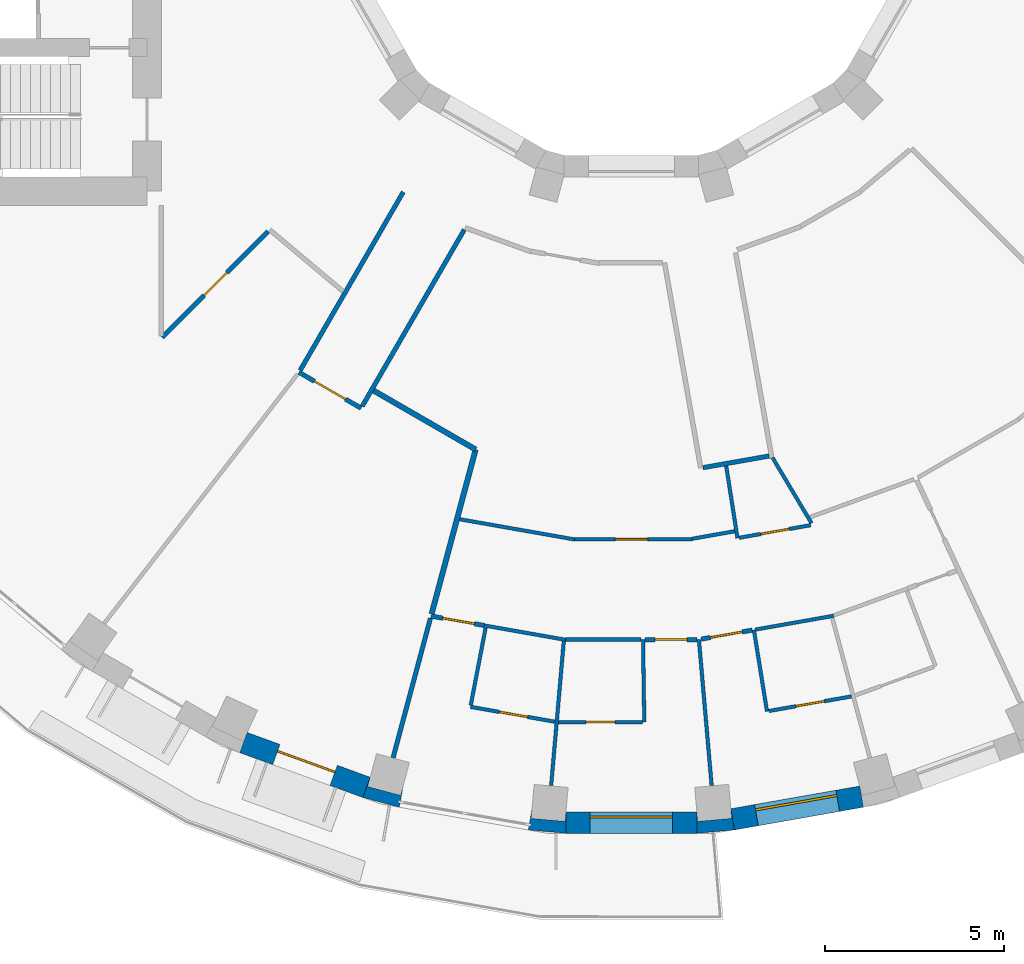
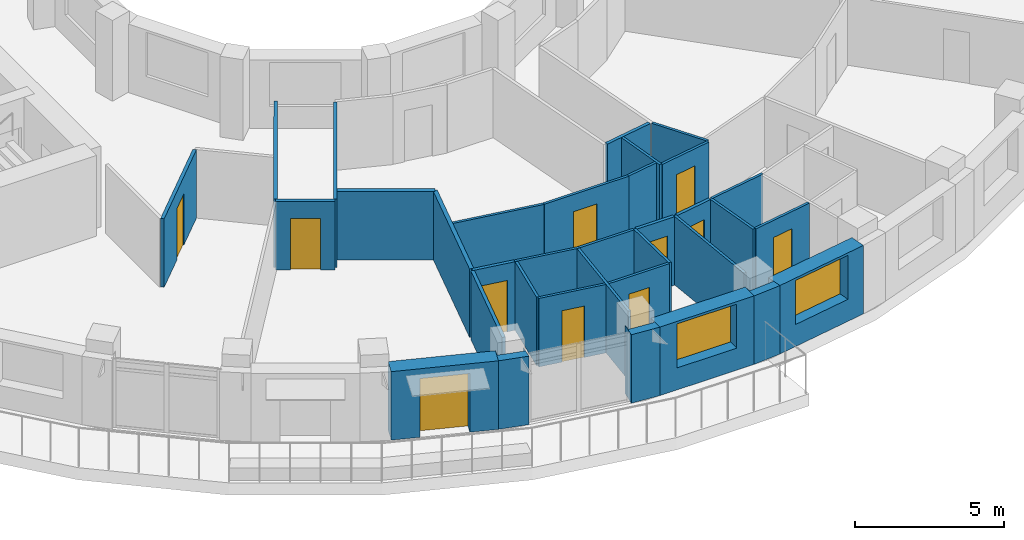
# One storey, part 4 of 14: 34 walls, 11 doors, 2 windows, 13 openings.
"""IFC4 building model written with IfcOpenShell, lengths in metres."""

from ifc_helpers import new_model, si_unit, direction, frame, frame_2d, origin, place, context, subcontext, project, spatial, polyline, rectangle, outline, extrude, material, layer, layer_set, type_object, element, fill, save


model = new_model("IFC4")

# Units and contexts
model_context = context("Model", 3, precision=1e-05, world=origin(), true_north=direction((0.0, 1.0)))
body_context = subcontext(model_context, "Body", "Model", "MODEL_VIEW")
ifc_project = project(units=[si_unit("LENGTHUNIT", "METRE"), si_unit("AREAUNIT", "SQUARE_METRE"), si_unit("VOLUMEUNIT", "CUBIC_METRE"), si_unit("PLANEANGLEUNIT", "RADIAN"), si_unit("MASSUNIT", "GRAM", prefix="KILO")], contexts=[model_context])

# Site, building, storey
site_placement = place(None, origin())
site = spatial("IfcSite", under=ifc_project, at=site_placement, CompositionType="ELEMENT")
building_placement = place(site_placement, origin())
building = spatial("IfcBuilding", under=site, at=building_placement, Name="Saqina Gate Tower", CompositionType="ELEMENT")
storey_placement = place(building_placement, frame((0.0, 0.0, 131.5)))
storey = spatial("IfcBuildingStorey", under=building, at=storey_placement, Name="L37", CompositionType="ELEMENT", Elevation=131.5)

# Walls
ifc_material_1 = material(Name="Brick masonry (buff)", Category="masonry")
wall_type_1 = type_object("IfcWallType", Name="BRICK PIER COPING BUFF", PredefinedType="SOLIDWALL", material=ifc_material_1)
wall_1_placement = place(storey_placement, origin())
element("IfcWall", 1, at=wall_1_placement, inside=storey, type_object=wall_type_1, Name="Pier cap L37 column 26", PredefinedType="SOLIDWALL", context=body_context, shape_type="SweptSolid", body=[
    extrude(outline(polyline([(-7.485595703125, -25.89892578125), (-6.466796875, -26.171875), (-6.36279296875, -25.5810546875), (-6.43212890625, -25.8408203125), (-7.349853515625, -25.5947265625), (-7.2802734375, -25.335205078125), (-7.485595703125, -25.89892578125)])), origin(), (0.0, 0.0, 1.0), 2.800048828125),
])
wall_2_placement = place(storey_placement, origin())
element("IfcWall", 2, at=wall_2_placement, inside=storey, type_object=wall_type_1, Name="Pier cap L37 column 27", PredefinedType="SOLIDWALL", context=body_context, shape_type="SweptSolid", body=[
    extrude(outline(polyline([(-2.87451171875, -26.805419921875), (-1.823974609375, -26.897216796875), (-1.823974609375, -26.29736328125), (-1.847412109375, -26.565185546875), (-2.793701171875, -26.482421875), (-2.770263671875, -26.214599609375), (-2.87451171875, -26.805419921875)])), origin(), (0.0, 0.0, 1.0), 2.800048828125),
])
wall_3_placement = place(storey_placement, origin())
element("IfcWall", 3, at=wall_3_placement, inside=storey, type_object=wall_type_1, Name="Pier cap L37 column 28", PredefinedType="SOLIDWALL", context=body_context, shape_type="SweptSolid", body=[
    extrude(outline(polyline([(2.87451171875, -26.805419921875), (2.770263671875, -26.214599609375), (2.793701171875, -26.482421875), (1.847412109375, -26.565185546875), (1.823974609375, -26.29736328125), (1.823974609375, -26.897216796875), (2.87451171875, -26.805419921875)])), origin(), (0.0, 0.0, 1.0), 2.800048828125),
])

# Wall, opening, door
ifc_material_2 = material(Name="Brick masonry (buff)", Category="masonry")
ifc_layer_1 = layer(ifc_material_2, 0.60009765625)
ifc_layer_set_1 = layer_set([ifc_layer_1], Name="FW-BRICK-BUFF")
wall_type_2 = type_object("IfcWallType", Name="FW-BRICK-BUFF", PredefinedType="SOLIDWALL", material=ifc_layer_set_1)
wall_4_placement = place(storey_placement, frame((-10.810791015625, -24.369384765625, 0.0), z_axis=(0.0, 0.0, 1.0), x_axis=(0.939703505393, -0.341990236633, 0.0)))
wall_4 = element("IfcWall", 4, at=wall_4_placement, inside=storey, type_object=wall_type_2, Name="Facade wall L37 facet 25", PredefinedType="SOLIDWALL", context=body_context, shape_type="SweptSolid", body=[
    extrude(rectangle(XDim=3.64794921875, YDim=0.60009765625, at=frame_2d((1.823974609375, 0.0))), origin(), (0.0, 0.0, 1.0), 2.800048828125),
])
opening_1_placement = place(wall_4_placement, frame((0.973876953125, 0.0, 0.0)))
opening_1 = element("IfcOpeningElement", 5, at=opening_1_placement, cuts=wall_4, Name="Opening G11-D81", PredefinedType="OPENING", context=body_context, shape_type="SweptSolid", body=[
    extrude(rectangle(XDim=1.699951171875, YDim=2.39990234375, at=frame_2d((0.85009765625, 1.199951171875))), frame((0.0, 0.31201171875, 0.0), z_axis=(0.0, -1.0, 0.0), x_axis=(1.0, 0.0, 0.0)), (0.0, 0.0, 1.0), 0.6240234375),
])
ifc_material_3 = material(Name="Aluminium glazing", Category="aluminium")
door_type_1 = type_object("IfcDoorType", Name="GD-B", OperationType="DOUBLE_DOOR_SINGLE_SWING", PredefinedType="DOOR", material=ifc_material_3)
door_1_placement = place(opening_1_placement, origin())
door_1 = element("IfcDoor", 6, at=door_1_placement, inside=storey, type_object=door_type_1, Name="Terrace door L37 facet 25", OperationType="DOUBLE_DOOR_SINGLE_SWING", OverallHeight=2.39990234375, OverallWidth=1.699951171875, PredefinedType="DOOR", context=body_context, shape_type="SweptSolid", body=[
    extrude(rectangle(XDim=1.699951171875, YDim=2.39990234375, at=frame_2d((0.85009765625, 1.199951171875))), frame((0.0, 0.125, 0.0), z_axis=(0.0, -1.0, 0.0), x_axis=(1.0, 0.0, 0.0)), (0.0, 0.0, 1.0), 0.050048828125),
])
fill(opening_1, door_1)

# Wall, opening, window
wall_5_placement = place(storey_placement, frame((-1.823974609375, -26.59716796875, 0.0), z_axis=(0.0, 0.0, 1.0), x_axis=(1.0, 0.0, 0.0)))
wall_5 = element("IfcWall", 7, at=wall_5_placement, inside=storey, type_object=wall_type_2, Name="Facade wall L37 facet 27", PredefinedType="SOLIDWALL", context=body_context, shape_type="SweptSolid", body=[
    extrude(rectangle(XDim=3.64794921875, YDim=0.60009765625, at=frame_2d((1.823974609375, 0.0))), origin(), (0.0, 0.0, 1.0), 2.800048828125),
])
opening_2_placement = place(wall_5_placement, frame((0.673828125, 0.0, 0.89990234375)))
opening_2 = element("IfcOpeningElement", 8, at=opening_2_placement, cuts=wall_5, Name="Opening G11-W16", PredefinedType="OPENING", context=body_context, shape_type="SweptSolid", body=[
    extrude(rectangle(XDim=2.300048828125, YDim=1.800048828125, at=frame_2d((1.14990234375, 0.89990234375))), frame((0.0, 0.31201171875, 0.0), z_axis=(0.0, -1.0, 0.0), x_axis=(1.0, 0.0, 0.0)), (0.0, 0.0, 1.0), 0.6240234375),
])
ifc_material_4 = material(Name="Aluminium glazing", Category="aluminium")
window_type = type_object("IfcWindowType", Name="WN-B", PartitioningType="SINGLE_PANEL", PredefinedType="WINDOW", material=ifc_material_4)
window_1_placement = place(opening_2_placement, origin())
window_1 = element("IfcWindow", 9, at=window_1_placement, inside=storey, type_object=window_type, Name="Window L37 facet 27", OverallHeight=1.800048828125, OverallWidth=2.300048828125, PartitioningType="SINGLE_PANEL", PredefinedType="WINDOW", context=body_context, shape_type="SweptSolid", body=[
    extrude(rectangle(XDim=2.300048828125, YDim=1.800048828125, at=frame_2d((1.14990234375, 0.89990234375))), frame((0.0, 0.179931640625, 0.0), z_axis=(0.0, -1.0, 0.0), x_axis=(1.0, 0.0, 0.0)), (0.0, 0.0, 1.0), 0.06005859375),
])
fill(opening_2, window_1)

wall_6_placement = place(storey_placement, frame((2.822265625, -26.510009765625, 0.0), z_axis=(0.0, 0.0, 1.0), x_axis=(0.984803764455, 0.173670796382, 0.0)))
wall_6 = element("IfcWall", 10, at=wall_6_placement, inside=storey, type_object=wall_type_2, Name="Facade wall L37 facet 28", PredefinedType="SOLIDWALL", context=body_context, shape_type="SweptSolid", body=[
    extrude(rectangle(XDim=3.64794921875, YDim=0.60009765625, at=frame_2d((1.823974609375, 0.0))), origin(), (0.0, 0.0, 1.0), 2.800048828125),
])
opening_3_placement = place(wall_6_placement, frame((0.673828125, 0.0, 0.89990234375)))
opening_3 = element("IfcOpeningElement", 11, at=opening_3_placement, cuts=wall_6, Name="Opening G11-W17", PredefinedType="OPENING", context=body_context, shape_type="SweptSolid", body=[
    extrude(rectangle(XDim=2.300048828125, YDim=1.800048828125, at=frame_2d((1.14990234375, 0.89990234375))), frame((0.0, 0.31201171875, 0.0), z_axis=(0.0, -1.0, 0.0), x_axis=(1.0, 0.0, 0.0)), (0.0, 0.0, 1.0), 0.6240234375),
])
window_2_placement = place(opening_3_placement, origin())
window_2 = element("IfcWindow", 12, at=window_2_placement, inside=storey, type_object=window_type, Name="Window L37 facet 28", OverallHeight=1.800048828125, OverallWidth=2.300048828125, PartitioningType="SINGLE_PANEL", PredefinedType="WINDOW", context=body_context, shape_type="SweptSolid", body=[
    extrude(rectangle(XDim=2.300048828125, YDim=1.800048828125, at=frame_2d((1.14990234375, 0.89990234375))), frame((0.0, 0.179931640625, 0.0), z_axis=(0.0, -1.0, 0.0), x_axis=(1.0, 0.0, 0.0)), (0.0, 0.0, 1.0), 0.06005859375),
])
fill(opening_3, window_2)

# Walls
ifc_material_5 = material(Name="Gypsum board on steel studs, 100 mm", Category="steel")
ifc_layer_2 = layer(ifc_material_5, 0.10009765625)
ifc_layer_set_2 = layer_set([ifc_layer_2], Name="PARTITION 100")
wall_type_3 = type_object("IfcWallType", Name="PARTITION 100", PredefinedType="PARTITIONING", material=ifc_layer_set_2)
wall_7_placement = place(storey_placement, frame((0.323974609375, -21.4970703125, 0.0), z_axis=(0.0, 0.0, 1.0), x_axis=(0.015177107463, -0.999884821071, 0.0)))
element("IfcWall", 13, at=wall_7_placement, inside=storey, type_object=wall_type_3, Name="PARTITION PW3-01", PredefinedType="PARTITIONING", context=body_context, shape_type="SweptSolid", body=[
    extrude(rectangle(XDim=2.30029296875, YDim=0.10009765625, at=frame_2d((1.150146484375, 0.0))), origin(), (0.0, 0.0, 1.0), 2.800048828125),
])
wall_8_placement = place(storey_placement, frame((1.881103515625, -21.4970703125, 0.0), z_axis=(0.0, 0.0, 1.0), x_axis=(0.087060211484, -0.996203051379, 0.0)))
element("IfcWall", 14, at=wall_8_placement, inside=storey, type_object=wall_type_3, Name="PARTITION PW3-03", PredefinedType="PARTITIONING", context=body_context, shape_type="SweptSolid", body=[
    extrude(rectangle(XDim=4.0859375, YDim=0.10009765625, at=frame_2d((2.04296875, 0.0))), origin(), (0.0, 0.0, 1.0), 2.800048828125),
])
wall_9_placement = place(storey_placement, frame((2.641845703125, -16.656494140625, 0.0), z_axis=(0.0, 0.0, 1.0), x_axis=(0.154658266248, -0.987968026143, 0.0)))
element("IfcWall", 15, at=wall_9_placement, inside=storey, type_object=wall_type_3, Name="PARTITION PW3-04", PredefinedType="PARTITIONING", context=body_context, shape_type="SweptSolid", body=[
    extrude(rectangle(XDim=2.037841796875, YDim=0.10009765625, at=frame_2d((1.01904296875, 0.0))), origin(), (0.0, 0.0, 1.0), 2.800048828125),
])
wall_10_placement = place(storey_placement, frame((3.4140625, -21.22705078125, 0.0), z_axis=(0.0, 0.0, 1.0), x_axis=(0.15868179071, -0.987329777378, 0.0)))
element("IfcWall", 16, at=wall_10_placement, inside=storey, type_object=wall_type_3, Name="PARTITION PW3-05", PredefinedType="PARTITIONING", context=body_context, shape_type="SweptSolid", body=[
    extrude(rectangle(XDim=2.300048828125, YDim=0.10009765625, at=frame_2d((1.14990234375, 0.0))), origin(), (0.0, 0.0, 1.0), 2.800048828125),
])
wall_11_placement = place(storey_placement, frame((3.931884765625, -16.42578125, 0.0), z_axis=(0.0, 0.0, 1.0), x_axis=(0.511292595627, -0.859406703288, 0.0)))
element("IfcWall", 17, at=wall_11_placement, inside=storey, type_object=wall_type_3, Name="PARTITION PW3-16", PredefinedType="PARTITIONING", context=body_context, shape_type="SweptSolid", body=[
    extrude(rectangle(XDim=2.132080078125, YDim=0.10009765625, at=frame_2d((1.06591796875, 0.0))), origin(), (0.0, 0.0, 1.0), 2.800048828125),
])

# Wall, opening, door
wall_12_placement = place(storey_placement, frame((-4.486083984375, -23.373046875, 0.0), z_axis=(0.0, 0.0, 1.0), x_axis=(0.984802055472, -0.173680486922, 0.0)))
wall_12 = element("IfcWall", 18, at=wall_12_placement, inside=storey, type_object=wall_type_3, Name="PARTITION PW3-32", PredefinedType="PARTITIONING", context=body_context, shape_type="SweptSolid", body=[
    extrude(rectangle(XDim=2.39111328125, YDim=0.10009765625, at=frame_2d((1.195556640625, 0.0))), origin(), (0.0, 0.0, 1.0), 2.800048828125),
])
opening_4_placement = place(wall_12_placement, frame((0.820556640625, 0.0, 0.0)))
opening_4 = element("IfcOpeningElement", 19, at=opening_4_placement, cuts=wall_12, Name="Opening G11-D31", PredefinedType="OPENING", context=body_context, shape_type="SweptSolid", body=[
    extrude(rectangle(XDim=0.800048828125, YDim=2.10009765625, at=frame_2d((0.39990234375, 1.050048828125))), frame((0.0, 0.06201171875, 0.0), z_axis=(0.0, -1.0, 0.0), x_axis=(1.0, 0.0, 0.0)), (0.0, 0.0, 1.0), 0.1240234375),
])
ifc_material_6 = material(Name="Timber door leaf, 800 mm", Category="wood")
door_type_2 = type_object("IfcDoorType", Name="DOOR 800 TIMBER", OperationType="SINGLE_SWING_LEFT", PredefinedType="DOOR", material=ifc_material_6)
door_2_placement = place(opening_4_placement, frame((0.800048828125, 0.0, 0.0), z_axis=(0.0, 0.0, 1.0), x_axis=(-1.0, 0.0, 0.0)))
door_2 = element("IfcDoor", 20, at=door_2_placement, inside=storey, type_object=door_type_2, Name="DOOR G11-D31", OperationType="SINGLE_SWING_LEFT", OverallHeight=2.10009765625, OverallWidth=0.800048828125, PredefinedType="DOOR", context=body_context, shape_type="SweptSolid", body=[
    extrude(rectangle(XDim=0.800048828125, YDim=2.10009765625, at=frame_2d((0.39990234375, 1.050048828125))), frame((0.0, 0.02490234375, 0.0), z_axis=(0.0, -1.0, 0.0), x_axis=(1.0, 0.0, 0.0)), (0.0, 0.0, 1.0), 0.050048828125),
])
fill(opening_4, door_2)

# Walls
wall_13_placement = place(storey_placement, frame((-4.101318359375, -21.105224609375, 0.0), z_axis=(0.0, 0.0, 1.0), x_axis=(0.984783558818, -0.173785333909, 0.0)))
element("IfcWall", 21, at=wall_13_placement, inside=storey, type_object=wall_type_3, Name="PARTITION PW3-33", PredefinedType="PARTITIONING", context=body_context, shape_type="SweptSolid", body=[
    extrude(rectangle(XDim=2.305419921875, YDim=0.10009765625, at=frame_2d((1.15283203125, 0.0))), origin(), (0.0, 0.0, 1.0), 2.800048828125),
])
wall_14_placement = place(storey_placement, frame((-4.7841796875, -18.14404296875, 0.0), z_axis=(0.0, 0.0, 1.0), x_axis=(0.98481910853, -0.173583765007, 0.0)))
element("IfcWall", 22, at=wall_14_placement, inside=storey, type_object=wall_type_3, Name="PARTITION PW3-34", PredefinedType="PARTITIONING", context=body_context, shape_type="SweptSolid", body=[
    extrude(rectangle(XDim=3.24755859375, YDim=0.10009765625, at=frame_2d((1.623779296875, 0.0))), origin(), (0.0, 0.0, 1.0), 2.800048828125),
])

# Wall, opening, door
wall_15_placement = place(storey_placement, frame((-2.031982421875, -23.797119140625, 0.0), z_axis=(0.0, 0.0, 1.0), x_axis=(1.0, 0.0, 0.0)))
wall_15 = element("IfcWall", 23, at=wall_15_placement, inside=storey, type_object=wall_type_3, Name="PARTITION PW3-38", PredefinedType="PARTITIONING", context=body_context, shape_type="SweptSolid", body=[
    extrude(rectangle(XDim=2.341064453125, YDim=0.10009765625, at=frame_2d((1.17041015625, 0.0))), origin(), (0.0, 0.0, 1.0), 2.800048828125),
])
opening_5_placement = place(wall_15_placement, frame((0.7705078125, 0.0, 0.0)))
opening_5 = element("IfcOpeningElement", 24, at=opening_5_placement, cuts=wall_15, Name="Opening G11-D32", PredefinedType="OPENING", context=body_context, shape_type="SweptSolid", body=[
    extrude(rectangle(XDim=0.800048828125, YDim=2.10009765625, at=frame_2d((0.39990234375, 1.050048828125))), frame((0.0, 0.06201171875, 0.0), z_axis=(0.0, -1.0, 0.0), x_axis=(1.0, 0.0, 0.0)), (0.0, 0.0, 1.0), 0.1240234375),
])
door_3_placement = place(opening_5_placement, frame((0.800048828125, 0.0, 0.0), z_axis=(0.0, 0.0, 1.0), x_axis=(-1.0, 0.0, 0.0)))
door_3 = element("IfcDoor", 25, at=door_3_placement, inside=storey, type_object=door_type_2, Name="DOOR G11-D32", OperationType="SINGLE_SWING_RIGHT", OverallHeight=2.10009765625, OverallWidth=0.800048828125, PredefinedType="DOOR", context=body_context, shape_type="SweptSolid", body=[
    extrude(rectangle(XDim=0.800048828125, YDim=2.10009765625, at=frame_2d((0.39990234375, 1.050048828125))), frame((0.0, 0.02490234375, 0.0), z_axis=(0.0, -1.0, 0.0), x_axis=(1.0, 0.0, 0.0)), (0.0, 0.0, 1.0), 0.050048828125),
])
fill(opening_5, door_3)

# Wall
wall_16_placement = place(storey_placement, frame((-1.8310546875, -21.4970703125, 0.0), z_axis=(0.0, 0.0, 1.0), x_axis=(1.0, 0.0, 0.0)))
element("IfcWall", 26, at=wall_16_placement, inside=storey, type_object=wall_type_3, Name="PARTITION PW3-39", PredefinedType="PARTITIONING", context=body_context, shape_type="SweptSolid", body=[
    extrude(rectangle(XDim=2.10498046875, YDim=0.10009765625, at=frame_2d((1.052490234375, 0.0))), origin(), (0.0, 0.0, 1.0), 2.800048828125),
])

# Wall, opening, door
wall_17_placement = place(storey_placement, frame((-1.5859375, -18.698974609375, 0.0), z_axis=(0.0, 0.0, 1.0), x_axis=(1.0, 0.0, 0.0)))
wall_17 = element("IfcWall", 27, at=wall_17_placement, inside=storey, type_object=wall_type_3, Name="PARTITION PW3-40", PredefinedType="PARTITIONING", context=body_context, shape_type="SweptSolid", body=[
    extrude(rectangle(XDim=3.272705078125, YDim=0.10009765625, at=frame_2d((1.63623046875, 0.0))), origin(), (0.0, 0.0, 1.0), 2.800048828125),
])
opening_6_placement = place(wall_17_placement, frame((1.135986328125, 0.0, 0.0)))
opening_6 = element("IfcOpeningElement", 28, at=opening_6_placement, cuts=wall_17, Name="Opening G11-D33", PredefinedType="OPENING", context=body_context, shape_type="SweptSolid", body=[
    extrude(rectangle(XDim=0.89990234375, YDim=2.10009765625, at=frame_2d((0.449951171875, 1.050048828125))), frame((0.0, 0.06201171875, 0.0), z_axis=(0.0, -1.0, 0.0), x_axis=(1.0, 0.0, 0.0)), (0.0, 0.0, 1.0), 0.1240234375),
])
ifc_material_7 = material(Name="Timber door leaf, 900 mm", Category="wood")
door_type_3 = type_object("IfcDoorType", Name="DOOR 900 TIMBER", OperationType="SINGLE_SWING_LEFT", PredefinedType="DOOR", material=ifc_material_7)
door_4_placement = place(opening_6_placement, origin())
door_4 = element("IfcDoor", 29, at=door_4_placement, inside=storey, type_object=door_type_3, Name="DOOR G11-D33", OperationType="SINGLE_SWING_LEFT", OverallHeight=2.10009765625, OverallWidth=0.89990234375, PredefinedType="DOOR", context=body_context, shape_type="SweptSolid", body=[
    extrude(rectangle(XDim=0.89990234375, YDim=2.10009765625, at=frame_2d((0.449951171875, 1.050048828125))), frame((0.0, 0.02490234375, 0.0), z_axis=(0.0, -1.0, 0.0), x_axis=(1.0, 0.0, 0.0)), (0.0, 0.0, 1.0), 0.050048828125),
])
fill(opening_6, door_4)

wall_18_placement = place(storey_placement, frame((3.828125, -23.4892578125, 0.0), z_axis=(0.0, 0.0, 1.0), x_axis=(0.984811890041, 0.173624713778, 0.0)))
wall_18 = element("IfcWall", 30, at=wall_18_placement, inside=storey, type_object=wall_type_3, Name="PARTITION PW3-44", PredefinedType="PARTITIONING", context=body_context, shape_type="SweptSolid", body=[
    extrude(rectangle(XDim=2.34130859375, YDim=0.10009765625, at=frame_2d((1.170654296875, 0.0))), origin(), (0.0, 0.0, 1.0), 2.800048828125),
])
opening_7_placement = place(wall_18_placement, frame((0.7705078125, 0.0, 0.0)))
opening_7 = element("IfcOpeningElement", 31, at=opening_7_placement, cuts=wall_18, Name="Opening G11-D36", PredefinedType="OPENING", context=body_context, shape_type="SweptSolid", body=[
    extrude(rectangle(XDim=0.800048828125, YDim=2.10009765625, at=frame_2d((0.39990234375, 1.050048828125))), frame((0.0, 0.06201171875, 0.0), z_axis=(0.0, -1.0, 0.0), x_axis=(1.0, 0.0, 0.0)), (0.0, 0.0, 1.0), 0.1240234375),
])
door_5_placement = place(opening_7_placement, frame((0.800048828125, 0.0, 0.0), z_axis=(0.0, 0.0, 1.0), x_axis=(-1.0, 0.0, 0.0)))
door_5 = element("IfcDoor", 32, at=door_5_placement, inside=storey, type_object=door_type_2, Name="DOOR G11-D36", OperationType="SINGLE_SWING_LEFT", OverallHeight=2.10009765625, OverallWidth=0.800048828125, PredefinedType="DOOR", context=body_context, shape_type="SweptSolid", body=[
    extrude(rectangle(XDim=0.800048828125, YDim=2.10009765625, at=frame_2d((0.39990234375, 1.050048828125))), frame((0.0, 0.02490234375, 0.0), z_axis=(0.0, -1.0, 0.0), x_axis=(1.0, 0.0, 0.0)), (0.0, 0.0, 1.0), 0.050048828125),
])
fill(opening_7, door_5)

# Wall
wall_19_placement = place(storey_placement, frame((3.4462890625, -21.221435546875, 0.0), z_axis=(0.0, 0.0, 1.0), x_axis=(0.984789083278, 0.173754025728, 0.0)))
element("IfcWall", 33, at=wall_19_placement, inside=storey, type_object=wall_type_3, Name="PARTITION PW3-45", PredefinedType="PARTITIONING", context=body_context, shape_type="SweptSolid", body=[
    extrude(rectangle(XDim=2.224365234375, YDim=0.10009765625, at=frame_2d((1.1123046875, 0.0))), origin(), (0.0, 0.0, 1.0), 2.800048828125),
])

# Wall, opening, door
wall_20_placement = place(storey_placement, frame((3.00732421875, -18.6611328125, 0.0), z_axis=(0.0, 0.0, 1.0), x_axis=(0.984806648716, 0.173654440325, 0.0)))
wall_20 = element("IfcWall", 34, at=wall_20_placement, inside=storey, type_object=wall_type_3, Name="PARTITION PW3-46", PredefinedType="PARTITIONING", context=body_context, shape_type="SweptSolid", body=[
    extrude(rectangle(XDim=2.021728515625, YDim=0.10009765625, at=frame_2d((1.0107421875, 0.0))), origin(), (0.0, 0.0, 1.0), 2.800048828125),
])
opening_8_placement = place(wall_20_placement, frame((0.611572265625, 0.0, 0.0)))
opening_8 = element("IfcOpeningElement", 35, at=opening_8_placement, cuts=wall_20, Name="Opening G11-D37", PredefinedType="OPENING", context=body_context, shape_type="SweptSolid", body=[
    extrude(rectangle(XDim=0.800048828125, YDim=2.10009765625, at=frame_2d((0.39990234375, 1.050048828125))), frame((0.0, 0.06201171875, 0.0), z_axis=(0.0, -1.0, 0.0), x_axis=(1.0, 0.0, 0.0)), (0.0, 0.0, 1.0), 0.1240234375),
])
door_6_placement = place(opening_8_placement, frame((0.800048828125, 0.0, 0.0), z_axis=(0.0, 0.0, 1.0), x_axis=(-1.0, 0.0, 0.0)))
door_6 = element("IfcDoor", 36, at=door_6_placement, inside=storey, type_object=door_type_2, Name="DOOR G11-D37", OperationType="SINGLE_SWING_LEFT", OverallHeight=2.10009765625, OverallWidth=0.800048828125, PredefinedType="DOOR", context=body_context, shape_type="SweptSolid", body=[
    extrude(rectangle(XDim=0.800048828125, YDim=2.10009765625, at=frame_2d((0.39990234375, 1.050048828125))), frame((0.0, 0.02490234375, 0.0), z_axis=(0.0, -1.0, 0.0), x_axis=(1.0, 0.0, 0.0)), (0.0, 0.0, 1.0), 0.050048828125),
])
fill(opening_8, door_6)

# Walls
wall_21_placement = place(storey_placement, frame((1.685302734375, -18.690185546875, 0.0), z_axis=(0.0, 0.0, 1.0), x_axis=(0.984742886049, 0.17401565555, 0.0)))
element("IfcWall", 37, at=wall_21_placement, inside=storey, type_object=wall_type_3, Name="PARTITION PW3-47", PredefinedType="PARTITIONING", context=body_context, shape_type="SweptSolid", body=[
    extrude(rectangle(XDim=1.20947265625, YDim=0.10009765625, at=frame_2d((0.604736328125, 0.0))), origin(), (0.0, 0.0, 1.0), 2.800048828125),
])
wall_22_placement = place(storey_placement, frame((-4.4765625, -23.323974609375, 0.0), z_axis=(0.0, 0.0, 1.0), x_axis=(0.188685986474, 0.982037473067, 0.0)))
element("IfcWall", 38, at=wall_22_placement, inside=storey, type_object=wall_type_3, Name="PARTITION PW3-82", PredefinedType="PARTITIONING", context=body_context, shape_type="SweptSolid", body=[
    extrude(rectangle(XDim=2.18798828125, YDim=0.10009765625, at=frame_2d((1.093994140625, 0.0))), origin(), (0.0, 0.0, 1.0), 2.800048828125),
])
wall_23_placement = place(storey_placement, frame((-2.23681640625, -25.5673828125, 0.0), z_axis=(0.0, 0.0, 1.0), x_axis=(0.087169951933, 0.996193454847, 0.0)))
element("IfcWall", 39, at=wall_23_placement, inside=storey, type_object=wall_type_3, Name="PARTITION PW3-84", PredefinedType="PARTITIONING", context=body_context, shape_type="SweptSolid", body=[
    extrude(rectangle(XDim=4.035888671875, YDim=0.10009765625, at=frame_2d((2.01806640625, 0.0))), origin(), (0.0, 0.0, 1.0), 2.800048828125),
])

# Wall, opening, door
ifc_material_8 = material(Name="Gypsum board on steel studs, 125 mm, fire rated", Category="steel")
ifc_layer_3 = layer(ifc_material_8, 0.125)
ifc_layer_set_3 = layer_set([ifc_layer_3], Name="PARTITION EI 30 125")
wall_type_4 = type_object("IfcWallType", Name="PARTITION EI 30 125", PredefinedType="PARTITIONING", material=ifc_layer_set_3)
wall_24_placement = place(storey_placement, frame((-9.26416015625, -14.050048828125, 0.0), z_axis=(0.0, 0.0, 1.0), x_axis=(0.866008543052, -0.500029202507, 0.0)))
wall_24 = element("IfcWall", 40, at=wall_24_placement, inside=storey, type_object=wall_type_4, Name="PARTITION PW1-10", PredefinedType="PARTITIONING", context=body_context, shape_type="SweptSolid", body=[
    extrude(rectangle(XDim=1.998046875, YDim=0.125, at=frame_2d((0.9990234375, 0.0))), origin(), (0.0, 0.0, 1.0), 2.800048828125),
])
opening_9_placement = place(wall_24_placement, frame((0.497802734375, 0.0, 0.0)))
opening_9 = element("IfcOpeningElement", 41, at=opening_9_placement, cuts=wall_24, Name="Opening G11-D28", PredefinedType="OPENING", context=body_context, shape_type="SweptSolid", body=[
    extrude(rectangle(XDim=1.0, YDim=2.10009765625, at=frame_2d((0.5, 1.050048828125))), frame((0.0, 0.074462890625, 0.0), z_axis=(0.0, -1.0, 0.0), x_axis=(1.0, 0.0, 0.0)), (0.0, 0.0, 1.0), 0.14892578125),
])
ifc_material_9 = material(Name="Fire door leaf EI 30, 1000 mm")
door_type_4 = type_object("IfcDoorType", Name="DOOR 1000 EI 30", OperationType="SINGLE_SWING_LEFT", PredefinedType="DOOR", material=ifc_material_9)
door_7_placement = place(opening_9_placement, origin())
door_7 = element("IfcDoor", 42, at=door_7_placement, inside=storey, type_object=door_type_4, Name="DOOR G11-D28", OperationType="SINGLE_SWING_RIGHT", OverallHeight=2.10009765625, OverallWidth=1.0, PredefinedType="DOOR", context=body_context, shape_type="SweptSolid", body=[
    extrude(rectangle(XDim=1.0, YDim=2.10009765625, at=frame_2d((0.5, 1.050048828125))), frame((0.0, 0.02490234375, 0.0), z_axis=(0.0, -1.0, 0.0), x_axis=(1.0, 0.0, 0.0)), (0.0, 0.0, 1.0), 0.050048828125),
])
fill(opening_9, door_7)

wall_25_placement = place(storey_placement, frame((-5.5849609375, -20.843994140625, 0.0), z_axis=(0.0, 0.0, 1.0), x_axis=(0.984850377204, -0.173406270135, 0.0)))
wall_25 = element("IfcWall", 43, at=wall_25_placement, inside=storey, type_object=wall_type_4, Name="PARTITION PW1-15", PredefinedType="PARTITIONING", context=body_context, shape_type="SweptSolid", body=[
    extrude(rectangle(XDim=1.50634765625, YDim=0.125, at=frame_2d((0.753173828125, 0.0))), origin(), (0.0, 0.0, 1.0), 2.800048828125),
])
opening_10_placement = place(wall_25_placement, frame((0.328369140625, 0.0, 0.0)))
opening_10 = element("IfcOpeningElement", 44, at=opening_10_placement, cuts=wall_25, Name="Opening G11-D29", PredefinedType="OPENING", context=body_context, shape_type="SweptSolid", body=[
    extrude(rectangle(XDim=0.89990234375, YDim=2.10009765625, at=frame_2d((0.449951171875, 1.050048828125))), frame((0.0, 0.074462890625, 0.0), z_axis=(0.0, -1.0, 0.0), x_axis=(1.0, 0.0, 0.0)), (0.0, 0.0, 1.0), 0.14892578125),
])
ifc_material_10 = material(Name="Fire door leaf EI 30, 900 mm")
door_type_5 = type_object("IfcDoorType", Name="DOOR 900 EI 30", OperationType="SINGLE_SWING_LEFT", PredefinedType="DOOR", material=ifc_material_10)
door_8_placement = place(opening_10_placement, origin())
door_8 = element("IfcDoor", 45, at=door_8_placement, inside=storey, type_object=door_type_5, Name="DOOR G11-D29", OperationType="SINGLE_SWING_LEFT", OverallHeight=2.10009765625, OverallWidth=0.89990234375, PredefinedType="DOOR", context=body_context, shape_type="SweptSolid", body=[
    extrude(rectangle(XDim=0.89990234375, YDim=2.10009765625, at=frame_2d((0.449951171875, 1.050048828125))), frame((0.0, 0.02490234375, 0.0), z_axis=(0.0, -1.0, 0.0), x_axis=(1.0, 0.0, 0.0)), (0.0, 0.0, 1.0), 0.050048828125),
])
fill(opening_10, door_8)

wall_26_placement = place(storey_placement, frame((0.3740234375, -21.4970703125, 0.0), z_axis=(0.0, 0.0, 1.0), x_axis=(1.0, 0.0, 0.0)))
wall_26 = element("IfcWall", 46, at=wall_26_placement, inside=storey, type_object=wall_type_4, Name="PARTITION PW1-19", PredefinedType="PARTITIONING", context=body_context, shape_type="SweptSolid", body=[
    extrude(rectangle(XDim=1.45703125, YDim=0.125, at=frame_2d((0.728515625, 0.0))), origin(), (0.0, 0.0, 1.0), 2.800048828125),
])
opening_11_placement = place(wall_26_placement, frame((0.278564453125, 0.0, 0.0)))
opening_11 = element("IfcOpeningElement", 47, at=opening_11_placement, cuts=wall_26, Name="Opening G11-D34", PredefinedType="OPENING", context=body_context, shape_type="SweptSolid", body=[
    extrude(rectangle(XDim=0.89990234375, YDim=2.10009765625, at=frame_2d((0.449951171875, 1.050048828125))), frame((0.0, 0.074462890625, 0.0), z_axis=(0.0, -1.0, 0.0), x_axis=(1.0, 0.0, 0.0)), (0.0, 0.0, 1.0), 0.14892578125),
])
door_9_placement = place(opening_11_placement, origin())
door_9 = element("IfcDoor", 48, at=door_9_placement, inside=storey, type_object=door_type_5, Name="DOOR G11-D34", OperationType="SINGLE_SWING_RIGHT", OverallHeight=2.10009765625, OverallWidth=0.89990234375, PredefinedType="DOOR", context=body_context, shape_type="SweptSolid", body=[
    extrude(rectangle(XDim=0.89990234375, YDim=2.10009765625, at=frame_2d((0.449951171875, 1.050048828125))), frame((0.0, 0.02490234375, 0.0), z_axis=(0.0, -1.0, 0.0), x_axis=(1.0, 0.0, 0.0)), (0.0, 0.0, 1.0), 0.050048828125),
])
fill(opening_11, door_9)

wall_27_placement = place(storey_placement, frame((1.942626953125, -21.486083984375, 0.0), z_axis=(0.0, 0.0, 1.0), x_axis=(0.984839675328, 0.173467039809, 0.0)))
wall_27 = element("IfcWall", 49, at=wall_27_placement, inside=storey, type_object=wall_type_4, Name="PARTITION PW1-23", PredefinedType="PARTITIONING", context=body_context, shape_type="SweptSolid", body=[
    extrude(rectangle(XDim=1.444091796875, YDim=0.125, at=frame_2d((0.72216796875, 0.0))), origin(), (0.0, 0.0, 1.0), 2.800048828125),
])
opening_12_placement = place(wall_27_placement, frame((0.265869140625, 0.0, 0.0)))
opening_12 = element("IfcOpeningElement", 50, at=opening_12_placement, cuts=wall_27, Name="Opening G11-D35", PredefinedType="OPENING", context=body_context, shape_type="SweptSolid", body=[
    extrude(rectangle(XDim=0.89990234375, YDim=2.10009765625, at=frame_2d((0.449951171875, 1.050048828125))), frame((0.0, 0.074462890625, 0.0), z_axis=(0.0, -1.0, 0.0), x_axis=(1.0, 0.0, 0.0)), (0.0, 0.0, 1.0), 0.14892578125),
])
door_10_placement = place(opening_12_placement, origin())
door_10 = element("IfcDoor", 51, at=door_10_placement, inside=storey, type_object=door_type_5, Name="DOOR G11-D35", OperationType="SINGLE_SWING_LEFT", OverallHeight=2.10009765625, OverallWidth=0.89990234375, PredefinedType="DOOR", context=body_context, shape_type="SweptSolid", body=[
    extrude(rectangle(XDim=0.89990234375, YDim=2.10009765625, at=frame_2d((0.449951171875, 1.050048828125))), frame((0.0, 0.02490234375, 0.0), z_axis=(0.0, -1.0, 0.0), x_axis=(1.0, 0.0, 0.0)), (0.0, 0.0, 1.0), 0.050048828125),
])
fill(opening_12, door_10)

# Wall
wall_28_placement = place(storey_placement, frame((1.99462890625, -16.70703125, 0.0), z_axis=(0.0, 0.0, 1.0), x_axis=(0.984821606563, 0.173569591941, 0.0)))
element("IfcWall", 52, at=wall_28_placement, inside=storey, type_object=wall_type_4, Name="PARTITION PW1-24", PredefinedType="PARTITIONING", context=body_context, shape_type="SweptSolid", body=[
    extrude(rectangle(XDim=1.8720703125, YDim=0.125, at=frame_2d((0.93603515625, 0.0))), origin(), (0.0, 0.0, 1.0), 2.800048828125),
])

# Wall, opening, door
wall_29_placement = place(storey_placement, frame((-13.078857421875, -13.078857421875, 0.0), z_axis=(0.0, 0.0, 1.0), x_axis=(0.707106781187, 0.707106781187, 0.0)))
wall_29 = element("IfcWall", 53, at=wall_29_placement, inside=storey, type_object=wall_type_4, Name="PARTITION PW1-37", PredefinedType="PARTITIONING", context=body_context, shape_type="SweptSolid", body=[
    extrude(rectangle(XDim=4.175537109375, YDim=0.125, at=frame_2d((2.087890625, 0.0))), origin(), (0.0, 0.0, 1.0), 2.800048828125),
])
opening_13_placement = place(wall_29_placement, frame((1.654052734375, 0.0, 0.0)))
opening_13 = element("IfcOpeningElement", 54, at=opening_13_placement, cuts=wall_29, Name="Opening G11-D27", PredefinedType="OPENING", context=body_context, shape_type="SweptSolid", body=[
    extrude(rectangle(XDim=0.89990234375, YDim=2.10009765625, at=frame_2d((0.449951171875, 1.050048828125))), frame((0.0, 0.074462890625, 0.0), z_axis=(0.0, -1.0, 0.0), x_axis=(1.0, 0.0, 0.0)), (0.0, 0.0, 1.0), 0.14892578125),
])
door_11_placement = place(opening_13_placement, origin())
door_11 = element("IfcDoor", 55, at=door_11_placement, inside=storey, type_object=door_type_5, Name="DOOR G11-D27", OperationType="SINGLE_SWING_RIGHT", OverallHeight=2.10009765625, OverallWidth=0.89990234375, PredefinedType="DOOR", context=body_context, shape_type="SweptSolid", body=[
    extrude(rectangle(XDim=0.89990234375, YDim=2.10009765625, at=frame_2d((0.449951171875, 1.050048828125))), frame((0.0, 0.02490234375, 0.0), z_axis=(0.0, -1.0, 0.0), x_axis=(1.0, 0.0, 0.0)), (0.0, 0.0, 1.0), 0.050048828125),
])
fill(opening_13, door_11)

# Walls
wall_30_placement = place(storey_placement, frame((-7.502685546875, -14.994873046875, 0.0), z_axis=(0.0, 0.0, 1.0), x_axis=(0.500436522094, 0.865773230907, 0.0)))
element("IfcWall", 56, at=wall_30_placement, inside=storey, type_object=wall_type_4, Name="PARTITION PW1-40", PredefinedType="PARTITIONING", context=body_context, shape_type="SweptSolid", body=[
    extrude(rectangle(XDim=5.681640625, YDim=0.125, at=frame_2d((2.8408203125, 0.0))), origin(), (0.0, 0.0, 1.0), 2.800048828125),
])
wall_31_placement = place(storey_placement, frame((-9.23291015625, -13.99609375, 0.0), z_axis=(0.0, 0.0, 1.0), x_axis=(0.500439738106, 0.865771371971, 0.0)))
element("IfcWall", 57, at=wall_31_placement, inside=storey, type_object=wall_type_4, Name="PARTITION PW1-41", PredefinedType="PARTITIONING", context=body_context, shape_type="SweptSolid", body=[
    extrude(rectangle(XDim=5.744384765625, YDim=0.125, at=frame_2d((2.8720703125, 0.0))), origin(), (0.0, 0.0, 1.0), 2.800048828125),
])
wall_32_placement = place(storey_placement, frame((-6.642333984375, -24.79052734375, 0.0), z_axis=(0.0, 0.0, 1.0), x_axis=(0.258806858621, 0.965929091565, 0.0)))
element("IfcWall", 58, at=wall_32_placement, inside=storey, type_object=wall_type_4, Name="PARTITION PW1-44", PredefinedType="PARTITIONING", context=body_context, shape_type="SweptSolid", body=[
    extrude(rectangle(XDim=4.023193359375, YDim=0.125, at=frame_2d((2.01171875, 0.0))), origin(), (0.0, 0.0, 1.0), 2.800048828125),
])
ifc_material_11 = material(Name="Gypsum board on steel studs, 150 mm, fire rated", Category="steel")
ifc_layer_4 = layer(ifc_material_11, 0.14990234375)
ifc_layer_set_4 = layer_set([ifc_layer_4], Name="PARTITION EI 60 150")
wall_type_5 = type_object("IfcWallType", Name="PARTITION EI 60 150", PredefinedType="PARTITIONING", material=ifc_layer_set_4)
wall_33_placement = place(storey_placement, frame((-7.179931640625, -14.561279296875, 0.0), z_axis=(0.0, 0.0, 1.0), x_axis=(0.866071485186, -0.499920176176, 0.0)))
element("IfcWall", 59, at=wall_33_placement, inside=storey, type_object=wall_type_5, Name="PARTITION PW2-01", PredefinedType="PARTITIONING", context=body_context, shape_type="SweptSolid", body=[
    extrude(rectangle(XDim=3.27783203125, YDim=0.14990234375, at=frame_2d((1.638916015625, 0.0))), origin(), (0.0, 0.0, 1.0), 2.800048828125),
])
wall_34_placement = place(storey_placement, frame((-5.56884765625, -20.78369140625, 0.0), z_axis=(0.0, 0.0, 1.0), x_axis=(0.258735228002, 0.965948281116, 0.0)))
element("IfcWall", 60, at=wall_34_placement, inside=storey, type_object=wall_type_5, Name="PARTITION PW2-02", PredefinedType="PARTITIONING", context=body_context, shape_type="SweptSolid", body=[
    extrude(rectangle(XDim=4.745361328125, YDim=0.14990234375, at=frame_2d((2.37255859375, 0.0))), origin(), (0.0, 0.0, 1.0), 2.800048828125),
])

save(model, "model.ifc")
